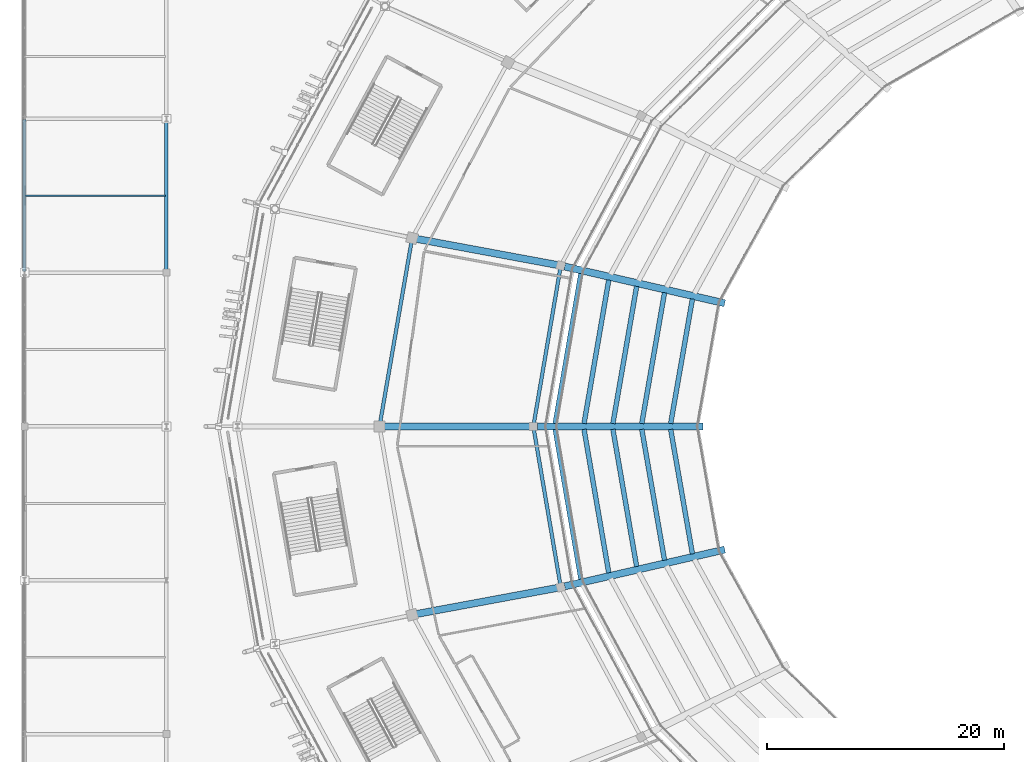
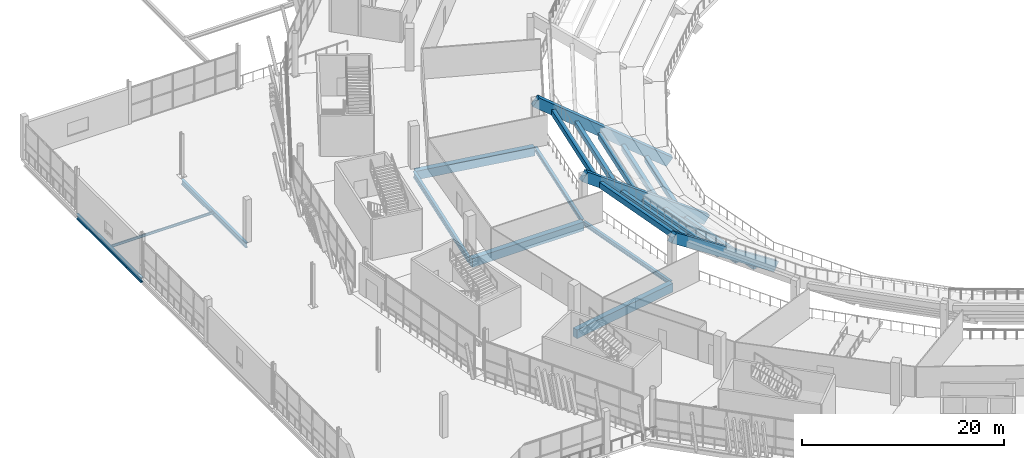
# One storey, part 42 of 178: 22 beams.
"""IFC4 building model written with IfcOpenShell, lengths in metres."""

from ifc_helpers import new_model, si_unit, direction, frame, origin, origin_2d, place, context, subcontext, project, spatial, rectangle, i_section, extrude, material, material_profile, profile_set, type_object, element, save


model = new_model("IFC4")

# Units and contexts
model_context = context("Model", 3, precision=1e-05, world=origin(), true_north=direction((0.0, 1.0)))
body_context = subcontext(model_context, "Body", "Model", "MODEL_VIEW")
ifc_project = project(units=[si_unit("LENGTHUNIT", "METRE"), si_unit("AREAUNIT", "SQUARE_METRE"), si_unit("VOLUMEUNIT", "CUBIC_METRE"), si_unit("PLANEANGLEUNIT", "RADIAN"), si_unit("MASSUNIT", "GRAM", prefix="KILO")], contexts=[model_context])

# Site, building, storey
site_placement = place(None, origin())
site = spatial("IfcSite", under=ifc_project, at=site_placement, CompositionType="ELEMENT")
building_placement = place(site_placement, origin())
building = spatial("IfcBuilding", under=site, at=building_placement, Name="Zlatoyarsky Gate Stadium", CompositionType="ELEMENT")
storey_placement = place(building_placement, frame((0.0, 0.0, 5.39990234375)))
storey = spatial("IfcBuildingStorey", under=building, at=storey_placement, Name="L01", CompositionType="ELEMENT", Elevation=5.39990234375)

# Beams
ifc_material_1 = material(Name="Concrete C40/50", Category="concrete")
ifc_material_profile_1 = material_profile(ifc_material_1, rectangle(XDim=0.39990234375, YDim=0.699951171875, at=origin_2d()), Name="RC BEAM 400X700")
ifc_profile_set_1 = profile_set([ifc_material_profile_1], Name="Concrete C40/50")
beam_type_1 = type_object("IfcBeamType", Name="CONCRETE FLOOR BEAM 400X700", PredefinedType="BEAM", material=ifc_profile_set_1)
beam_1_placement = place(storey_placement, frame((56.440185546875, 90.76904296875, -4.219970703125), z_axis=(-0.171988349508, -0.985098983673, 0.0), x_axis=(0.985098983673, -0.171988349508, 0.0)))
element("IfcBeam", 1, at=beam_1_placement, inside=storey, type_object=beam_type_1, Name="Lower bowl step tie beam 11.1", PredefinedType="BEAM", context=body_context, shape_type="SweptSolid", body=[
    extrude(rectangle(XDim=0.39990234375, YDim=0.699951171875, at=origin_2d()), origin(), (0.0, 0.0, 1.0), 10.681884765625),
])
beam_2_placement = place(storey_placement, frame((54.08349609375, 91.30224609375, -2.31982421875), z_axis=(-0.171158457048, -0.985243514356, 0.0), x_axis=(0.985243514356, -0.171158457048, 0.0)))
element("IfcBeam", 2, at=beam_2_placement, inside=storey, type_object=beam_type_1, Name="Lower bowl step tie beam 11.2", PredefinedType="BEAM", context=body_context, shape_type="SweptSolid", body=[
    extrude(rectangle(XDim=0.39990234375, YDim=0.699951171875, at=origin_2d()), origin(), (0.0, 0.0, 1.0), 11.221435546875),
])
beam_3_placement = place(storey_placement, frame((51.726806640625, 91.83544921875, -0.419921875), z_axis=(-0.170404613839, -0.985374176434, 0.0), x_axis=(0.985374176434, -0.170404613839, 0.0)))
element("IfcBeam", 3, at=beam_3_placement, inside=storey, type_object=beam_type_1, Name="Lower bowl step tie beam 11.3", PredefinedType="BEAM", context=body_context, shape_type="SweptSolid", body=[
    extrude(rectangle(XDim=0.39990234375, YDim=0.699951171875, at=origin_2d()), origin(), (0.0, 0.0, 1.0), 11.76123046875),
])
beam_4_placement = place(storey_placement, frame((49.3701171875, 92.368408203125, 1.47998046875), z_axis=(-0.169720145264, -0.985492299458, 0.0), x_axis=(0.985492299458, -0.169720145264, 0.0)))
element("IfcBeam", 4, at=beam_4_placement, inside=storey, type_object=beam_type_1, Name="Lower bowl step tie beam 11.4", PredefinedType="BEAM", context=body_context, shape_type="SweptSolid", body=[
    extrude(rectangle(XDim=0.39990234375, YDim=0.699951171875, at=origin_2d()), origin(), (0.0, 0.0, 1.0), 12.300537109375),
])
beam_5_placement = place(storey_placement, frame((47.013427734375, 92.901611328125, 3.380126953125), z_axis=(-0.169089944294, -0.98560062436, 0.0), x_axis=(0.98560062436, -0.169089944294, 0.0)))
element("IfcBeam", 5, at=beam_5_placement, inside=storey, type_object=beam_type_1, Name="Lower bowl step tie beam 11.5", PredefinedType="BEAM", context=body_context, shape_type="SweptSolid", body=[
    extrude(rectangle(XDim=0.39990234375, YDim=0.699951171875, at=origin_2d()), origin(), (0.0, 0.0, 1.0), 12.840087890625),
])
beam_6_placement = place(storey_placement, frame((54.60302734375, 79.753662109375, -4.219970703125), z_axis=(0.171988349508, -0.985098983673, 0.0), x_axis=(0.985098983673, 0.171988349508, 0.0)))
element("IfcBeam", 6, at=beam_6_placement, inside=storey, type_object=beam_type_1, Name="Lower bowl step tie beam 12.1", PredefinedType="BEAM", context=body_context, shape_type="SweptSolid", body=[
    extrude(rectangle(XDim=0.39990234375, YDim=0.699951171875, at=origin_2d()), origin(), (0.0, 0.0, 1.0), 10.681884765625),
])
beam_7_placement = place(storey_placement, frame((52.162841796875, 79.753662109375, -2.31982421875), z_axis=(0.171158457048, -0.985243514356, 0.0), x_axis=(0.985243514356, 0.171158457048, 0.0)))
element("IfcBeam", 7, at=beam_7_placement, inside=storey, type_object=beam_type_1, Name="Lower bowl step tie beam 12.2", PredefinedType="BEAM", context=body_context, shape_type="SweptSolid", body=[
    extrude(rectangle(XDim=0.39990234375, YDim=0.699951171875, at=origin_2d()), origin(), (0.0, 0.0, 1.0), 11.221435546875),
])
beam_8_placement = place(storey_placement, frame((49.72265625, 79.753662109375, -0.419921875), z_axis=(0.170404613839, -0.985374176434, 0.0), x_axis=(0.985374176434, 0.170404613839, 0.0)))
element("IfcBeam", 8, at=beam_8_placement, inside=storey, type_object=beam_type_1, Name="Lower bowl step tie beam 12.3", PredefinedType="BEAM", context=body_context, shape_type="SweptSolid", body=[
    extrude(rectangle(XDim=0.39990234375, YDim=0.699951171875, at=origin_2d()), origin(), (0.0, 0.0, 1.0), 11.76123046875),
])
beam_9_placement = place(storey_placement, frame((47.282470703125, 79.753662109375, 1.47998046875), z_axis=(0.169720145264, -0.985492299458, 0.0), x_axis=(0.985492299458, 0.169720145264, 0.0)))
element("IfcBeam", 9, at=beam_9_placement, inside=storey, type_object=beam_type_1, Name="Lower bowl step tie beam 12.4", PredefinedType="BEAM", context=body_context, shape_type="SweptSolid", body=[
    extrude(rectangle(XDim=0.39990234375, YDim=0.699951171875, at=origin_2d()), origin(), (0.0, 0.0, 1.0), 12.300537109375),
])
beam_10_placement = place(storey_placement, frame((44.84228515625, 79.753662109375, 3.380126953125), z_axis=(0.169089944294, -0.98560062436, 0.0), x_axis=(0.98560062436, 0.169089944294, 0.0)))
element("IfcBeam", 10, at=beam_10_placement, inside=storey, type_object=beam_type_1, Name="Lower bowl step tie beam 12.5", PredefinedType="BEAM", context=body_context, shape_type="SweptSolid", body=[
    extrude(rectangle(XDim=0.39990234375, YDim=0.699951171875, at=origin_2d()), origin(), (0.0, 0.0, 1.0), 12.840087890625),
])
ifc_material_profile_2 = material_profile(ifc_material_1, rectangle(XDim=0.60009765625, YDim=1.050048828125, at=origin_2d()), Name="RC GIRDER 600X1050")
ifc_profile_set_2 = profile_set([ifc_material_profile_2], Name="Concrete C40/50")
beam_type_2 = type_object("IfcBeamType", Name="CONCRETE PRIMARY GIRDER 600X1050", PredefinedType="T_BEAM", material=ifc_profile_set_2)
beam_11_placement = place(storey_placement, frame((45.198974609375, 93.60986328125, -0.98486328125), z_axis=(-0.98322524088, 0.182395519946, 0.0), x_axis=(-0.182395519946, -0.98322524088, 0.0)))
element("IfcBeam", 11, at=beam_11_placement, inside=storey, type_object=beam_type_2, Name="Beam G-RC105 BM-L01-RAB-11", PredefinedType="T_BEAM", context=body_context, shape_type="SweptSolid", body=[
    extrude(rectangle(XDim=0.60009765625, YDim=1.050048828125, at=origin_2d()), origin(), (0.0, 0.0, 1.0), 12.53125),
])
beam_12_placement = place(storey_placement, frame((42.8798828125, 80.0, -0.98486328125), z_axis=(-1.0, 0.0, 0.0), x_axis=(0.0, -1.0, 0.0)))
element("IfcBeam", 12, at=beam_12_placement, inside=storey, type_object=beam_type_2, Name="Beam G-RC105 BM-L01-RAB-12", PredefinedType="T_BEAM", context=body_context, shape_type="SweptSolid", body=[
    extrude(rectangle(XDim=0.60009765625, YDim=1.050048828125, at=origin_2d()), origin(), (0.0, 0.0, 1.0), 12.759765625),
])
beam_13_placement = place(storey_placement, frame((45.198974609375, 66.39013671875, -0.98486328125), z_axis=(-0.98322524088, -0.182395519946, 0.0), x_axis=(0.182395519946, -0.98322524088, 0.0)))
element("IfcBeam", 13, at=beam_13_placement, inside=storey, type_object=beam_type_2, Name="Beam G-RC105 BM-L01-RAB-13", PredefinedType="T_BEAM", context=body_context, shape_type="SweptSolid", body=[
    extrude(rectangle(XDim=0.60009765625, YDim=1.050048828125, at=origin_2d()), origin(), (0.0, 0.0, 1.0), 12.53125),
])
ifc_material_2 = material(Name="Precast concrete C40/50", Category="concrete")
ifc_material_profile_3 = material_profile(ifc_material_2, rectangle(XDim=0.60009765625, YDim=1.14990234375, at=origin_2d()), Name="PC RAKER 600X1150")
ifc_profile_set_3 = profile_set([ifc_material_profile_3], Name="Precast concrete C40/50")
beam_type_3 = type_object("IfcBeamType", Name="PRECAST LOWER BOWL RAKER 600X1150", PredefinedType="USERDEFINED", material=ifc_profile_set_3)
beam_14_placement = place(storey_placement, frame((58.840087890625, 90.482177734375, -5.14990234375), z_axis=(-0.78797312318, 0.180964526728, 0.588515248072), x_axis=(-0.22383133455, -0.97462789498, 0.0)))
element("IfcBeam", 14, at=beam_14_placement, inside=storey, type_object=beam_type_3, Name="Lower bowl radial raker 11", ObjectType="RAKER", PredefinedType="USERDEFINED", context=body_context, shape_type="SweptSolid", body=[
    extrude(rectangle(XDim=0.60009765625, YDim=1.14990234375, at=origin_2d()), origin(), (0.0, 0.0, 1.0), 17.162109375),
])
beam_15_placement = place(storey_placement, frame((57.0, 80.0, -5.14990234375), z_axis=(-0.810981933771, 0.0, 0.585071194896), x_axis=(0.0, -1.0, 0.0)))
element("IfcBeam", 15, at=beam_15_placement, inside=storey, type_object=beam_type_3, Name="Lower bowl radial raker 12", ObjectType="RAKER", PredefinedType="USERDEFINED", context=body_context, shape_type="SweptSolid", body=[
    extrude(rectangle(XDim=0.60009765625, YDim=1.14990234375, at=origin_2d()), origin(), (0.0, 0.0, 1.0), 17.262939453125),
])
beam_16_placement = place(storey_placement, frame((58.840087890625, 69.517822265625, -5.14990234375), z_axis=(-0.78797312318, -0.180964526728, 0.588515248072), x_axis=(0.22383133455, -0.97462789498, 0.0)))
element("IfcBeam", 16, at=beam_16_placement, inside=storey, type_object=beam_type_3, Name="Lower bowl radial raker 13", ObjectType="RAKER", PredefinedType="USERDEFINED", context=body_context, shape_type="SweptSolid", body=[
    extrude(rectangle(XDim=0.60009765625, YDim=1.14990234375, at=origin_2d()), origin(), (0.0, 0.0, 1.0), 17.162109375),
])
ifc_material_3 = material(Name="Steel S355", Category="steel")
ifc_material_profile_4 = material_profile(ifc_material_3, i_section(OverallWidth=0.300048828125, OverallDepth=0.5, WebThickness=0.014404296875, FlangeThickness=0.028076171875, FilletRadius=0.027099609375, at=origin_2d()), Name="HEB 500")
ifc_profile_set_4 = profile_set([ifc_material_profile_4], Name="Steel S355")
beam_type_4 = type_object("IfcBeamType", Name="STEEL PRIMARY GIRDER HEB 500", PredefinedType="BEAM", material=ifc_profile_set_4)
for number, where, z_axis, x_axis, name in (
    (17, (45.296875, 93.4697265625, -0.7099609375), (-0.168089694981, -0.985771705032, 0.0), (0.985771705032, -0.168089694981, 0.0), "Beam G-HEB500 BM-L01-CRA-11"),
    (18, (43.020263671875, 79.881591796875, -0.7099609375), (0.168089694981, -0.985771705032, 0.0), (0.985771705032, 0.168089694981, 0.0), "Beam G-HEB500 BM-L01-CRA-12"),
):
    element("IfcBeam", number, at=place(storey_placement, frame(where, z_axis=z_axis, x_axis=x_axis)), inside=storey, type_object=beam_type_4, Name=name, PredefinedType="BEAM", context=body_context, shape_type="SweptSolid", body=[
        extrude(i_section(OverallWidth=0.300048828125, OverallDepth=0.5, WebThickness=0.014404296875, FlangeThickness=0.028076171875, FilletRadius=0.027099609375, at=origin_2d()), origin(), (0.0, 0.0, 1.0), 13.5439453125),
    ])
ifc_material_profile_5 = material_profile(ifc_material_3, i_section(OverallWidth=0.300048828125, OverallDepth=0.60009765625, WebThickness=0.015380859375, FlangeThickness=0.030029296875, FilletRadius=0.027099609375, at=origin_2d()), Name="HEB 600")
ifc_profile_set_5 = profile_set([ifc_material_profile_5], Name="Steel S355")
beam_type_5 = type_object("IfcBeamType", Name="STEEL PRIMARY GIRDER HEB 600", PredefinedType="BEAM", material=ifc_profile_set_5)
for number, where, z_axis, x_axis, name in (
    (19, (0.0, 93.080078125, -0.599853515625), (0.0, 1.0, 0.0), (-1.0, 0.0, 0.0), "Beam G-HEB600 BM-L01-WGY-1-J"),
    (20, (12.0, 93.080078125, -0.599853515625), (0.0, 1.0, 0.0), (-1.0, 0.0, 0.0), "Beam G-HEB600 BM-L01-WGY-2-J"),
):
    element("IfcBeam", number, at=place(storey_placement, frame(where, z_axis=z_axis, x_axis=x_axis)), inside=storey, type_object=beam_type_5, Name=name, PredefinedType="BEAM", context=body_context, shape_type="SweptSolid", body=[
        extrude(i_section(OverallWidth=0.300048828125, OverallDepth=0.60009765625, WebThickness=0.015380859375, FlangeThickness=0.030029296875, FilletRadius=0.027099609375, at=origin_2d()), origin(), (0.0, 0.0, 1.0), 12.83984375),
    ])
ifc_material_profile_6 = material_profile(ifc_material_3, i_section(OverallWidth=0.300048828125, OverallDepth=0.699951171875, WebThickness=0.01708984375, FlangeThickness=0.031982421875, FilletRadius=0.027099609375, at=origin_2d()), Name="HEB 700")
ifc_profile_set_6 = profile_set([ifc_material_profile_6], Name="Steel S355")
beam_type_6 = type_object("IfcBeamType", Name="STEEL PRIMARY GIRDER HEB 700", PredefinedType="BEAM", material=ifc_profile_set_6)
beam_17_placement = place(storey_placement, frame((32.739501953125, 95.79931640625, -0.809814453125), z_axis=(-0.170843315562, -0.985298209441, 0.0), x_axis=(0.985298209441, -0.170843315562, 0.0)))
element("IfcBeam", 21, at=beam_17_placement, inside=storey, type_object=beam_type_6, Name="Beam G-HEB700 BM-L01-CRB-11", PredefinedType="BEAM", context=body_context, shape_type="SweptSolid", body=[
    extrude(i_section(OverallWidth=0.300048828125, OverallDepth=0.699951171875, WebThickness=0.01708984375, FlangeThickness=0.031982421875, FilletRadius=0.027099609375, at=origin_2d()), origin(), (0.0, 0.0, 1.0), 15.9150390625),
])
ifc_material_profile_7 = material_profile(ifc_material_3, i_section(OverallWidth=0.14990234375, OverallDepth=0.300048828125, WebThickness=0.007080078125, FlangeThickness=0.0107421875, FilletRadius=0.014892578125, at=origin_2d()), Name="IPE 300")
ifc_profile_set_7 = profile_set([ifc_material_profile_7], Name="Steel S355")
beam_type_7 = type_object("IfcBeamType", Name="STEEL SECONDARY JOIST IPE 300", PredefinedType="JOIST", material=ifc_profile_set_7)
beam_18_placement = place(storey_placement, frame((0.090087890625, 99.5, -0.449951171875), z_axis=(1.0, 0.0, 0.0), x_axis=(0.0, 1.0, 0.0)))
element("IfcBeam", 22, at=beam_18_placement, inside=storey, type_object=beam_type_7, Name="Beam J-IPE300 JST-L01-1-J", PredefinedType="JOIST", context=body_context, shape_type="SweptSolid", body=[
    extrude(i_section(OverallWidth=0.14990234375, OverallDepth=0.300048828125, WebThickness=0.007080078125, FlangeThickness=0.0107421875, FilletRadius=0.014892578125, at=origin_2d()), origin(), (0.0, 0.0, 1.0), 11.81982421875),
])

save(model, "model.ifc")
